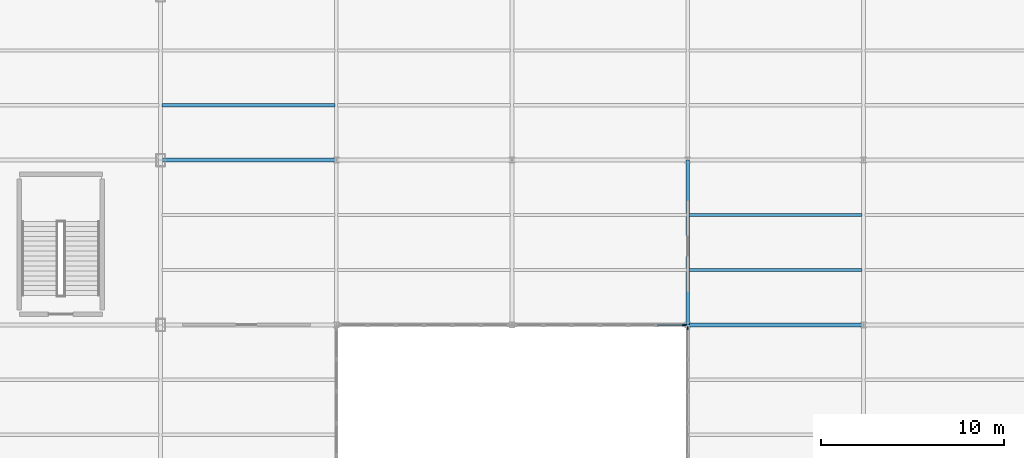
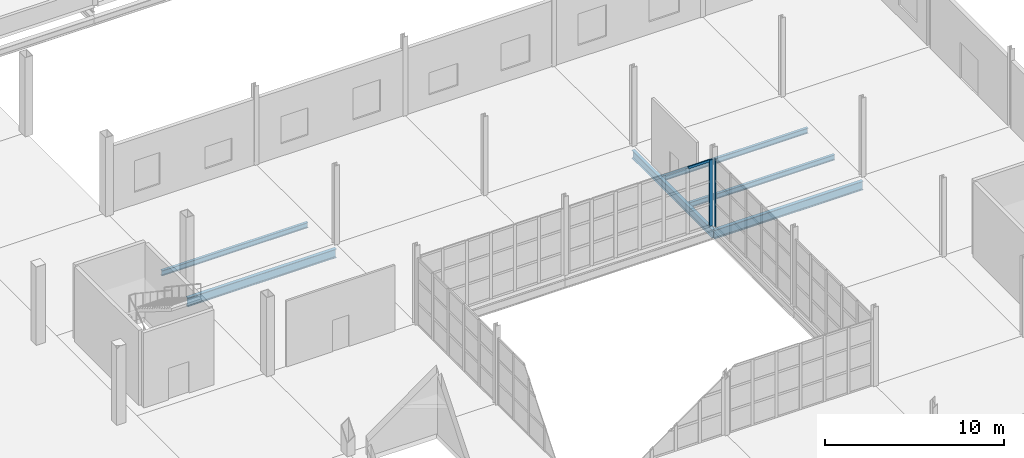
# One storey, part 40 of 85: 6 beams, 3 members, 2 elements without a shape of their own.
"""IFC4 building model written with IfcOpenShell, lengths in metres."""

from ifc_helpers import new_model, si_unit, direction, frame, origin, origin_2d, place, context, subcontext, project, spatial, rectangle, i_section, extrude, material, layer, layer_set, material_profile, profile_set, type_object, element, aggregate, save


model = new_model("IFC4")

# Units and contexts
model_context = context("Model", 3, precision=1e-05, world=origin(), true_north=direction((0.0, 1.0)))
body_context = subcontext(model_context, "Body", "Model", "MODEL_VIEW")
ifc_project = project(units=[si_unit("LENGTHUNIT", "METRE"), si_unit("AREAUNIT", "SQUARE_METRE"), si_unit("VOLUMEUNIT", "CUBIC_METRE"), si_unit("PLANEANGLEUNIT", "RADIAN"), si_unit("MASSUNIT", "GRAM", prefix="KILO")], contexts=[model_context])

# Site, building, storey
site_placement = place(None, origin())
site = spatial("IfcSite", under=ifc_project, at=site_placement, CompositionType="ELEMENT")
building_placement = place(site_placement, origin())
building = spatial("IfcBuilding", under=site, at=building_placement, Name="Zarnetskaya Central Station", CompositionType="ELEMENT")
storey_placement = place(building_placement, origin())
storey = spatial("IfcBuildingStorey", under=building, at=storey_placement, Name="L00", CompositionType="ELEMENT", Elevation=0.0)

# Beams
ifc_material_1 = material(Name="Steel S355", Category="steel")
ifc_material_profile_1 = material_profile(ifc_material_1, i_section(OverallWidth=0.169921875, OverallDepth=0.360107421875, WebThickness=0.008056640625, FlangeThickness=0.0126953125, FilletRadius=0.01806640625, at=origin_2d()), Name="IPE 360")
ifc_profile_set_1 = profile_set([ifc_material_profile_1], Name="Steel S355")
beam_type_1 = type_object("IfcBeamType", Name="BM-SEC-360", PredefinedType="BEAM", material=ifc_profile_set_1)
for number, where, z_axis, x_axis, name in (
    (1, (124.8798828125, 43.199951171875, -0.5), (1.0, 0.0, 0.0), (0.0, 1.0, 0.0), "Secondary floor beam SEC-L00-Z32-PQ-67-1"),
    (2, (153.679931640625, 34.199951171875, -0.5), (1.0, 0.0, 0.0), (0.0, 1.0, 0.0), "Secondary floor beam SEC-L00-Z32-ST-56-1"),
    (3, (153.679931640625, 37.199951171875, -0.5), (1.0, 0.0, 0.0), (0.0, 1.0, 0.0), "Secondary floor beam SEC-L00-Z32-ST-56-2"),
):
    element("IfcBeam", number, at=place(storey_placement, frame(where, z_axis=z_axis, x_axis=x_axis)), inside=storey, type_object=beam_type_1, Name=name, PredefinedType="BEAM", context=body_context, shape_type="SweptSolid", body=[
        extrude(i_section(OverallWidth=0.169921875, OverallDepth=0.360107421875, WebThickness=0.008056640625, FlangeThickness=0.0126953125, FilletRadius=0.01806640625, at=origin_2d()), origin(), (0.0, 0.0, 1.0), 9.440185546875),
    ])

# Curtain wall, member
ifc_material_2 = material(Name="Low-E insulated glass", Category="glass")
ifc_layer = layer(ifc_material_2, 0.172119140625, Name="Low-E insulated glass", Category="glass")
ifc_layer_set = layer_set([ifc_layer], Name="Low-E insulated glass")
curtain_wall_type = type_object("IfcCurtainWallType", Name="CW-SYS-04", PredefinedType="USERDEFINED", material=ifc_layer_set)
curtain_wall_1_placement = place(storey_placement, origin())
curtain_wall_1 = element("IfcCurtainWall", 4, at=curtain_wall_1_placement, inside=storey, type_object=curtain_wall_type, Name="Curtain wall CW-L00-105", ObjectType="CURTAIN WALL", PredefinedType="USERDEFINED")
ifc_material_3 = material(Name="Anodised aluminium", Category="aluminium")
ifc_material_profile_2 = material_profile(ifc_material_3, rectangle(XDim=0.070068359375, YDim=0.179931640625, at=origin_2d()), Name="ALU MULL 70x180")
ifc_profile_set_2 = profile_set([ifc_material_profile_2], Name="Anodised aluminium")
member_type_1 = type_object("IfcMemberType", Name="CW-MULL-180", PredefinedType="MULLION", material=ifc_profile_set_2)
member_1_placement = place(storey_placement, frame((153.60009765625, 31.014892578125, 0.0), z_axis=(0.0, 0.0, 1.0), x_axis=(-1.0, 0.0, 0.0)))
member_1 = element("IfcMember", 5, at=member_1_placement, type_object=member_type_1, Name="CW-15 mullion 6", PredefinedType="MULLION", context=body_context, shape_type="SweptSolid", body=[
    extrude(rectangle(XDim=0.070068359375, YDim=0.179931640625, at=origin_2d()), origin(), (0.0, 0.0, 1.0), 4.6298828125),
])
aggregate(curtain_wall_1, [member_1])

# Curtain wall, members
curtain_wall_2_placement = place(storey_placement, origin())
curtain_wall_2 = element("IfcCurtainWall", 6, at=curtain_wall_2_placement, inside=storey, type_object=curtain_wall_type, Name="Curtain wall CW-L00-106", ObjectType="CURTAIN WALL", PredefinedType="USERDEFINED")
ifc_material_profile_3 = material_profile(ifc_material_3, rectangle(XDim=0.080078125, YDim=0.219970703125, at=origin_2d()), Name="ALU MULL 80x220")
ifc_profile_set_3 = profile_set([ifc_material_profile_3], Name="Anodised aluminium")
member_type_2 = type_object("IfcMemberType", Name="CW-MULL-220", PredefinedType="MULLION", material=ifc_profile_set_3)
member_2_placement = place(storey_placement, frame((153.409912109375, 31.199951171875, 0.0), z_axis=(0.0, 0.0, 1.0), x_axis=(0.0, -1.0, 0.0)))
member_2 = element("IfcMember", 7, at=member_2_placement, type_object=member_type_2, Name="CW-15 mullion 1", PredefinedType="MULLION", context=body_context, shape_type="SweptSolid", body=[
    extrude(rectangle(XDim=0.080078125, YDim=0.219970703125, at=origin_2d()), origin(), (0.0, 0.0, 1.0), 4.52001953125),
])
ifc_material_profile_4 = material_profile(ifc_material_3, rectangle(XDim=0.080078125, YDim=0.159912109375, at=origin_2d()), Name="ALU TRAN 80x160")
ifc_profile_set_4 = profile_set([ifc_material_profile_4], Name="Anodised aluminium")
member_type_3 = type_object("IfcMemberType", Name="CW-TRAN-160", PredefinedType="USERDEFINED", material=ifc_profile_set_4)
member_3_placement = place(storey_placement, frame((153.3701171875, 31.199951171875, 4.47998046875), z_axis=(-1.0, 0.0, 0.0), x_axis=(0.0, -1.0, 0.0)))
member_3 = element("IfcMember", 8, at=member_3_placement, type_object=member_type_3, Name="CW-15 transom 1.4", ObjectType="TRANSOM", PredefinedType="USERDEFINED", context=body_context, shape_type="SweptSolid", body=[
    extrude(rectangle(XDim=0.080078125, YDim=0.159912109375, at=origin_2d()), origin(), (0.0, 0.0, 1.0), 1.43017578125),
])
aggregate(curtain_wall_2, [member_2, member_3])

# Beams
ifc_material_profile_5 = material_profile(ifc_material_1, i_section(OverallWidth=0.2099609375, OverallDepth=0.550048828125, WebThickness=0.010986328125, FlangeThickness=0.01708984375, FilletRadius=0.02392578125, at=origin_2d()), Name="IPE 550")
ifc_profile_set_5 = profile_set([ifc_material_profile_5], Name="Steel S355")
beam_type_2 = type_object("IfcBeamType", Name="GD-FLR-550", PredefinedType="USERDEFINED", material=ifc_profile_set_5)
beam_placement = place(storey_placement, frame((153.60009765625, 31.199951171875, -0.594970703125), z_axis=(0.0, 1.0, 0.0), x_axis=(-1.0, 0.0, 0.0)))
element("IfcBeam", 9, at=beam_placement, inside=storey, type_object=beam_type_2, Name="Grid girder GY-L00-S-56", ObjectType="GIRDER", PredefinedType="USERDEFINED", context=body_context, shape_type="SweptSolid", body=[
    extrude(i_section(OverallWidth=0.2099609375, OverallDepth=0.550048828125, WebThickness=0.010986328125, FlangeThickness=0.01708984375, FilletRadius=0.02392578125, at=origin_2d()), origin(), (0.0, 0.0, 1.0), 9.0),
])
ifc_material_profile_6 = material_profile(ifc_material_1, i_section(OverallWidth=0.219970703125, OverallDepth=0.60009765625, WebThickness=0.011962890625, FlangeThickness=0.01904296875, FilletRadius=0.02392578125, at=origin_2d()), Name="IPE 600")
ifc_profile_set_6 = profile_set([ifc_material_profile_6], Name="Steel S355")
beam_type_3 = type_object("IfcBeamType", Name="GD-FLR-600", PredefinedType="USERDEFINED", material=ifc_profile_set_6)
for number, where, z_axis, x_axis, name in (
    (10, (124.800048828125, 40.199951171875, -0.6201171875), (1.0, 0.0, 0.0), (0.0, 1.0, 0.0), "Grid girder GX-L00-6-PQ"),
    (11, (153.60009765625, 31.199951171875, -0.6201171875), (1.0, 0.0, 0.0), (0.0, 1.0, 0.0), "Grid girder GX-L00-5-ST"),
):
    element("IfcBeam", number, at=place(storey_placement, frame(where, z_axis=z_axis, x_axis=x_axis)), inside=storey, type_object=beam_type_3, Name=name, ObjectType="GIRDER", PredefinedType="USERDEFINED", context=body_context, shape_type="SweptSolid", body=[
        extrude(i_section(OverallWidth=0.219970703125, OverallDepth=0.60009765625, WebThickness=0.011962890625, FlangeThickness=0.01904296875, FilletRadius=0.02392578125, at=origin_2d()), origin(), (0.0, 0.0, 1.0), 9.599853515625),
    ])

save(model, "model.ifc")
